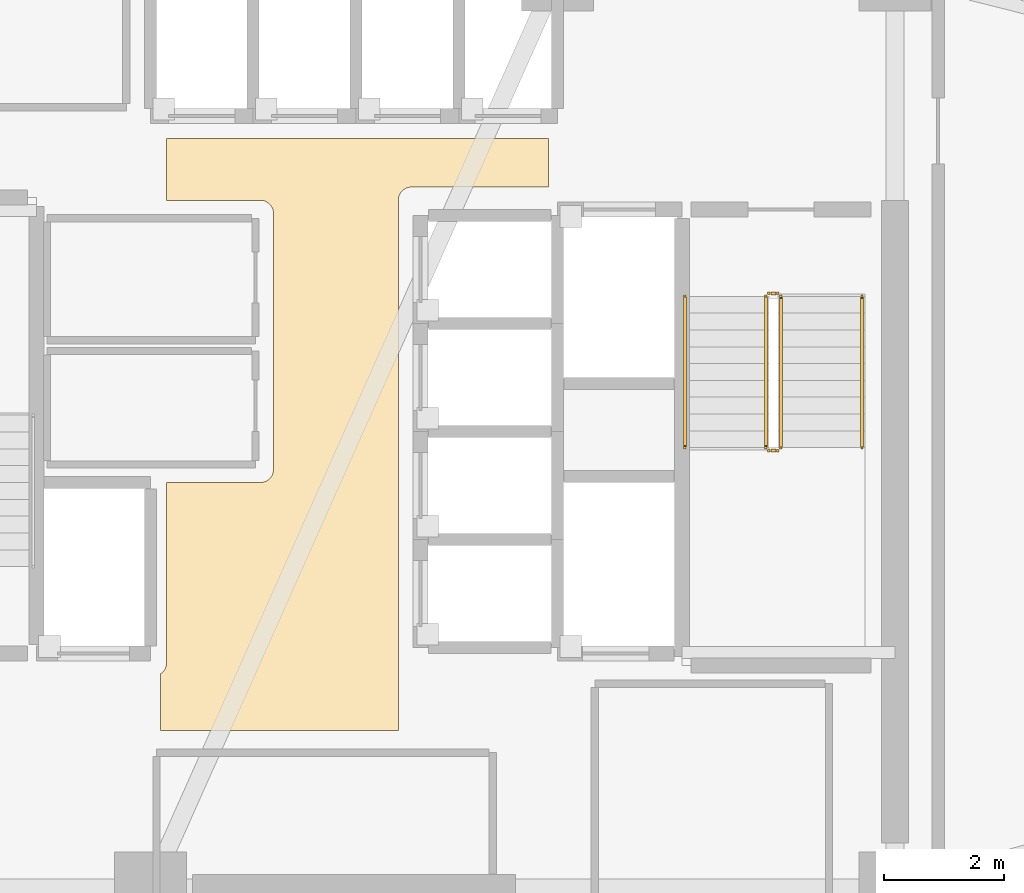
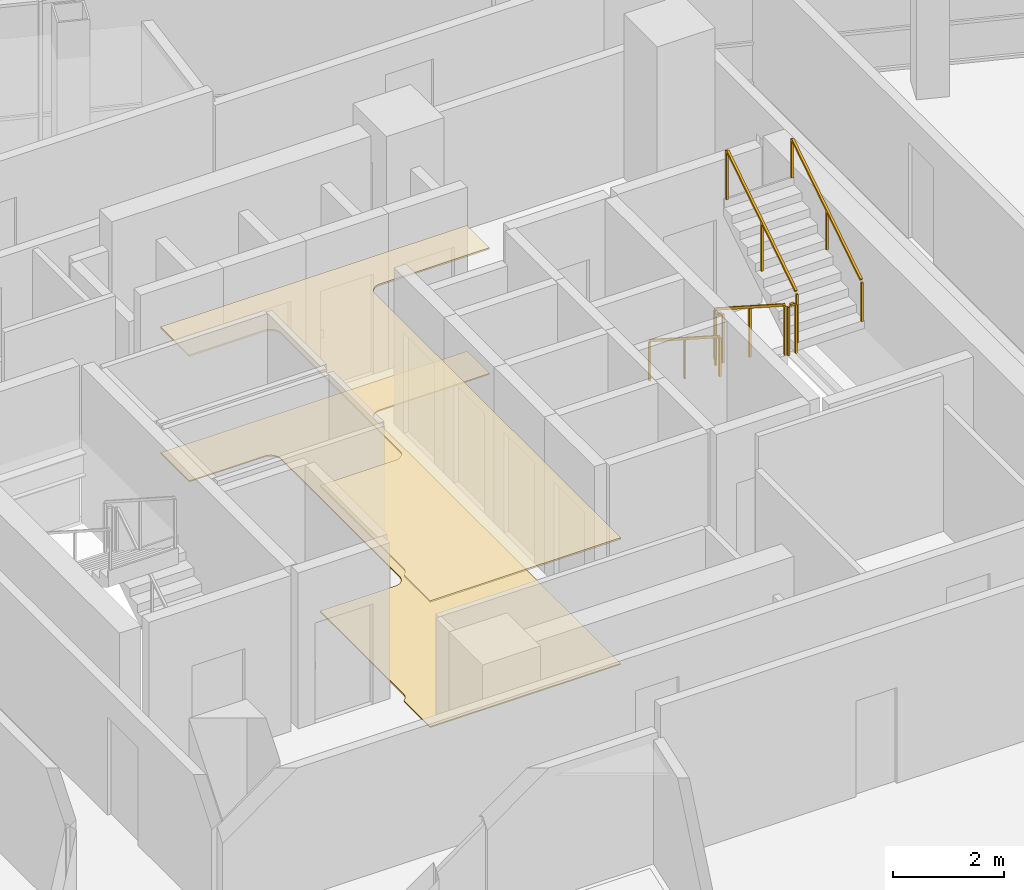
# One storey, part 15 of 16: 6 railings, 2 coverings.
"""IFC4 building model written with IfcOpenShell, lengths in metres."""

from ifc_helpers import new_model, si_unit, direction, frame, origin, origin_2d, place, context, subcontext, project, spatial, polyline, rectangle, outline, extrude, material, layer, layer_set, type_object, element, save


model = new_model("IFC4")

# Units and contexts
model_context = context("Model", 3, precision=1e-05, world=origin(), true_north=direction((0.0, 1.0)))
body_context = subcontext(model_context, "Body", "Model", "MODEL_VIEW")
ifc_project = project(units=[si_unit("LENGTHUNIT", "METRE"), si_unit("AREAUNIT", "SQUARE_METRE"), si_unit("VOLUMEUNIT", "CUBIC_METRE"), si_unit("PLANEANGLEUNIT", "RADIAN"), si_unit("MASSUNIT", "GRAM", prefix="KILO")], contexts=[model_context])

# Site, building, storey
site_placement = place(None, origin())
site = spatial("IfcSite", under=ifc_project, at=site_placement, CompositionType="ELEMENT")
building_placement = place(site_placement, origin())
building = spatial("IfcBuilding", under=site, at=building_placement, Name="Tharavind Bronze Gate", CompositionType="ELEMENT")
storey_placement = place(building_placement, frame((0.0, 0.0, 170.5)))
storey = spatial("IfcBuildingStorey", under=building, at=storey_placement, Name="L43", CompositionType="ELEMENT", Elevation=170.5)

# Coverings
ifc_material_1 = material(Name="Perforated Bronze Acoustic Panel", Category="bronze")
ifc_layer_1 = layer(ifc_material_1, 0.044921875)
ifc_layer_set_1 = layer_set([ifc_layer_1], Name="Perforated Bronze Acoustic Panel")
covering_type_1 = type_object("IfcCoveringType", Name="ACOUSTIC BRONZE BAFFLE CEILING", PredefinedType="CEILING", material=ifc_layer_set_1)
covering_1_placement = place(storey_placement, frame((0.0, 0.0, 2.75)))
element("IfcCovering", 1, at=covering_1_placement, inside=storey, type_object=covering_type_1, Name="L43-C-LL suspended ceiling", PredefinedType="CEILING", context=body_context, shape_type="SweptSolid", body=[
    extrude(outline(polyline([(-3.330078125, -4.97998046875), (0.6298828125, -4.97998046875), (0.6298828125, 3.85009765625), (0.631103515625, 3.87158203125), (0.63427734375, 3.892822265625), (0.639404296875, 3.913818359375), (0.646728515625, 3.93408203125), (0.656005859375, 3.95361328125), (0.6669921875, 3.97216796875), (0.679931640625, 3.989501953125), (0.6943359375, 4.005615234375), (0.71044921875, 4.02001953125), (0.727783203125, 4.032958984375), (0.746337890625, 4.0439453125), (0.765869140625, 4.05322265625), (0.7861328125, 4.060546875), (0.80712890625, 4.06591796875), (0.828369140625, 4.06884765625), (0.85009765625, 4.070068359375), (3.1298828125, 4.070068359375), (3.1298828125, 4.8798828125), (-3.22998046875, 4.8798828125), (-3.22998046875, 3.85009765625), (-1.669921875, 3.85009765625), (-1.6484375, 3.848876953125), (-1.627197265625, 3.845703125), (-1.606201171875, 3.840576171875), (-1.585693359375, 3.833251953125), (-1.56640625, 3.823974609375), (-1.5478515625, 3.81298828125), (-1.530517578125, 3.800048828125), (-1.514404296875, 3.78564453125), (-1.5, 3.76953125), (-1.487060546875, 3.752197265625), (-1.47607421875, 3.733642578125), (-1.466796875, 3.714111328125), (-1.45947265625, 3.69384765625), (-1.4541015625, 3.6728515625), (-1.451171875, 3.651611328125), (-1.449951171875, 3.6298828125), (-1.449951171875, 1.43994140625), (-1.450439453125, 1.429931640625), (-1.449951171875, 1.419921875), (-1.449951171875, -0.6298828125), (-1.451171875, -0.651611328125), (-1.4541015625, -0.6728515625), (-1.45947265625, -0.69384765625), (-1.466796875, -0.714111328125), (-1.47607421875, -0.733642578125), (-1.487060546875, -0.752197265625), (-1.5, -0.76953125), (-1.514404296875, -0.78564453125), (-1.530517578125, -0.800048828125), (-1.5478515625, -0.81298828125), (-1.56640625, -0.823974609375), (-1.585693359375, -0.833251953125), (-1.606201171875, -0.840576171875), (-1.627197265625, -0.845703125), (-1.6484375, -0.848876953125), (-1.669921875, -0.85009765625), (-3.22998046875, -0.85009765625), (-3.22998046875, -3.85009765625), (-3.231201171875, -3.87158203125), (-3.234130859375, -3.892822265625), (-3.239501953125, -3.913818359375), (-3.24658203125, -3.93408203125), (-3.256103515625, -3.95361328125), (-3.26708984375, -3.97216796875), (-3.27978515625, -3.989501953125), (-3.29443359375, -4.005615234375), (-3.310302734375, -4.02001953125), (-3.327880859375, -4.032958984375), (-3.330078125, -4.0341796875), (-3.330078125, -4.97998046875)])), origin(), (0.0, 0.0, 1.0), 0.034912109375),
])
ifc_material_2 = material(Name="Honed Travertine Limestone", Category="masonry")
ifc_layer_2 = layer(ifc_material_2, 0.030029296875)
ifc_layer_set_2 = layer_set([ifc_layer_2], Name="Honed Travertine Limestone")
covering_type_2 = type_object("IfcCoveringType", Name="HONED LIMESTONE FLOORING", PredefinedType="FLOORING", material=ifc_layer_set_2)
covering_2_placement = place(storey_placement, origin())
element("IfcCovering", 2, at=covering_2_placement, inside=storey, type_object=covering_type_2, Name="L43-C-LL floor finish", PredefinedType="FLOORING", context=body_context, shape_type="SweptSolid", body=[
    extrude(outline(polyline([(-3.330078125, -4.97998046875), (0.6298828125, -4.97998046875), (0.6298828125, 3.85009765625), (0.631103515625, 3.87158203125), (0.63427734375, 3.892822265625), (0.639404296875, 3.913818359375), (0.646728515625, 3.93408203125), (0.656005859375, 3.95361328125), (0.6669921875, 3.97216796875), (0.679931640625, 3.989501953125), (0.6943359375, 4.005615234375), (0.71044921875, 4.02001953125), (0.727783203125, 4.032958984375), (0.746337890625, 4.0439453125), (0.765869140625, 4.05322265625), (0.7861328125, 4.060546875), (0.80712890625, 4.06591796875), (0.828369140625, 4.06884765625), (0.85009765625, 4.070068359375), (3.1298828125, 4.070068359375), (3.1298828125, 4.8798828125), (-3.22998046875, 4.8798828125), (-3.22998046875, 3.85009765625), (-1.669921875, 3.85009765625), (-1.6484375, 3.848876953125), (-1.627197265625, 3.845703125), (-1.606201171875, 3.840576171875), (-1.585693359375, 3.833251953125), (-1.56640625, 3.823974609375), (-1.5478515625, 3.81298828125), (-1.530517578125, 3.800048828125), (-1.514404296875, 3.78564453125), (-1.5, 3.76953125), (-1.487060546875, 3.752197265625), (-1.47607421875, 3.733642578125), (-1.466796875, 3.714111328125), (-1.45947265625, 3.69384765625), (-1.4541015625, 3.6728515625), (-1.451171875, 3.651611328125), (-1.449951171875, 3.6298828125), (-1.449951171875, 1.43994140625), (-1.450439453125, 1.429931640625), (-1.449951171875, 1.419921875), (-1.449951171875, -0.6298828125), (-1.451171875, -0.651611328125), (-1.4541015625, -0.6728515625), (-1.45947265625, -0.69384765625), (-1.466796875, -0.714111328125), (-1.47607421875, -0.733642578125), (-1.487060546875, -0.752197265625), (-1.5, -0.76953125), (-1.514404296875, -0.78564453125), (-1.530517578125, -0.800048828125), (-1.5478515625, -0.81298828125), (-1.56640625, -0.823974609375), (-1.585693359375, -0.833251953125), (-1.606201171875, -0.840576171875), (-1.627197265625, -0.845703125), (-1.6484375, -0.848876953125), (-1.669921875, -0.85009765625), (-3.22998046875, -0.85009765625), (-3.22998046875, -3.85009765625), (-3.231201171875, -3.87158203125), (-3.234130859375, -3.892822265625), (-3.239501953125, -3.913818359375), (-3.24658203125, -3.93408203125), (-3.256103515625, -3.95361328125), (-3.26708984375, -3.97216796875), (-3.27978515625, -3.989501953125), (-3.29443359375, -4.005615234375), (-3.310302734375, -4.02001953125), (-3.327880859375, -4.032958984375), (-3.330078125, -4.0341796875), (-3.330078125, -4.97998046875)])), origin(), (0.0, 0.0, 1.0), 0.02490234375),
])

# Railings
ifc_material_3 = material(Name="Brushed Bronze Alloy", Category="metal")
railing_type_1 = type_object("IfcRailingType", Name="STAIR BRONZE HANDRAIL 900", PredefinedType="HANDRAIL", material=ifc_material_3)
railing_1_placement = place(storey_placement, frame((5.39990234375, 2.25, 0.179931640625)))
element("IfcRailing", 3, at=railing_1_placement, inside=storey, type_object=railing_type_1, Name="L43 ST2 stair handrail 1", PredefinedType="HANDRAIL", context=body_context, shape_type="SweptSolid", body=[
    extrude(rectangle(XDim=0.048095703125, YDim=0.048095703125, at=origin_2d()), frame((0.0, -0.02685546875, 0.89306640625), z_axis=(0.0, -0.841162588446, 0.540782303519), x_axis=(1.0, 0.0, 0.0)), (0.0, 0.0, 1.0), 2.931884765625),
    extrude(rectangle(XDim=0.0400390625, YDim=0.0400390625, at=origin_2d()), origin(), (0.0, 0.0, 1.0), 0.847900390625),
    extrude(rectangle(XDim=0.0400390625, YDim=0.0400390625, at=origin_2d()), frame((0.0, -1.260009765625, 0.81005859375)), (0.0, 0.0, 1.0), 0.847900390625),
    extrude(rectangle(XDim=0.0400390625, YDim=0.0400390625, at=origin_2d()), frame((0.0, -2.52001953125, 1.6201171875)), (0.0, 0.0, 1.0), 0.847900390625),
])
railing_2_placement = place(storey_placement, frame((8.35009765625, -0.27001953125, 1.97998046875)))
element("IfcRailing", 4, at=railing_2_placement, inside=storey, type_object=railing_type_1, Name="L43 ST2 stair handrail 2", PredefinedType="HANDRAIL", context=body_context, shape_type="SweptSolid", body=[
    extrude(rectangle(XDim=0.048095703125, YDim=0.048095703125, at=origin_2d()), frame((0.0, 0.02685546875, 0.89306640625), z_axis=(0.0, 0.841162588446, 0.540782303519), x_axis=(-1.0, 0.0, 0.0)), (0.0, 0.0, 1.0), 2.931884765625),
    extrude(rectangle(XDim=0.0400390625, YDim=0.0400390625, at=origin_2d()), origin(), (0.0, 0.0, 1.0), 0.847900390625),
    extrude(rectangle(XDim=0.0400390625, YDim=0.0400390625, at=origin_2d()), frame((0.0, 1.260009765625, 0.81005859375)), (0.0, 0.0, 1.0), 0.847900390625),
    extrude(rectangle(XDim=0.0400390625, YDim=0.0400390625, at=origin_2d()), frame((0.0, 2.52001953125, 1.6201171875)), (0.0, 0.0, 1.0), 0.847900390625),
])
railing_type_2 = type_object("IfcRailingType", Name="STAIR WELL GUARD RAILING 1120", PredefinedType="GUARDRAIL", material=ifc_material_3)
railing_3_placement = place(storey_placement, frame((6.75, 2.25, 0.179931640625)))
element("IfcRailing", 5, at=railing_3_placement, inside=storey, type_object=railing_type_2, Name="L43 ST2 stair guard 1", PredefinedType="GUARDRAIL", context=body_context, shape_type="SweptSolid", body=[
    extrude(rectangle(XDim=0.048095703125, YDim=0.048095703125, at=origin_2d()), frame((0.0, -0.02685546875, 1.11328125), z_axis=(0.0, -0.841162588446, 0.540782303519), x_axis=(1.0, 0.0, 0.0)), (0.0, 0.0, 1.0), 2.931884765625),
    extrude(rectangle(XDim=0.0400390625, YDim=0.0400390625, at=origin_2d()), origin(), (0.0, 0.0, 1.0), 1.068115234375),
    extrude(rectangle(XDim=0.0400390625, YDim=0.0400390625, at=origin_2d()), frame((0.0, -1.260009765625, 0.81005859375)), (0.0, 0.0, 1.0), 1.068115234375),
    extrude(rectangle(XDim=0.0400390625, YDim=0.0400390625, at=origin_2d()), frame((0.0, -2.52001953125, 1.6201171875)), (0.0, 0.0, 1.0), 1.068115234375),
])
railing_4_placement = place(storey_placement, frame((6.800048828125, -0.320068359375, 1.800048828125)))
element("IfcRailing", 6, at=railing_4_placement, inside=storey, type_object=railing_type_2, Name="L43 ST2 stair guard 2", PredefinedType="GUARDRAIL", context=body_context, shape_type="SweptSolid", body=[
    extrude(rectangle(XDim=0.048095703125, YDim=0.048095703125, at=origin_2d()), frame((0.031982421875, 0.0, 1.09619140625), z_axis=(1.0, 0.0, 0.0), x_axis=(0.0, 1.0, 0.0)), (0.0, 0.0, 1.0), 0.0859375),
    extrude(rectangle(XDim=0.0400390625, YDim=0.0400390625, at=origin_2d()), origin(), (0.0, 0.0, 1.0), 1.068115234375),
    extrude(rectangle(XDim=0.0400390625, YDim=0.0400390625, at=origin_2d()), frame((0.14990234375, 0.0, 0.0)), (0.0, 0.0, 1.0), 1.068115234375),
])
railing_5_placement = place(storey_placement, frame((7.0, -0.27001953125, 1.97998046875)))
element("IfcRailing", 7, at=railing_5_placement, inside=storey, type_object=railing_type_2, Name="L43 ST2 stair guard 3", PredefinedType="GUARDRAIL", context=body_context, shape_type="SweptSolid", body=[
    extrude(rectangle(XDim=0.048095703125, YDim=0.048095703125, at=origin_2d()), frame((0.0, 0.02685546875, 1.11328125), z_axis=(0.0, 0.841162588446, 0.540782303519), x_axis=(-1.0, 0.0, 0.0)), (0.0, 0.0, 1.0), 2.931884765625),
    extrude(rectangle(XDim=0.0400390625, YDim=0.0400390625, at=origin_2d()), origin(), (0.0, 0.0, 1.0), 1.068115234375),
    extrude(rectangle(XDim=0.0400390625, YDim=0.0400390625, at=origin_2d()), frame((0.0, 1.260009765625, 0.81005859375)), (0.0, 0.0, 1.0), 1.068115234375),
    extrude(rectangle(XDim=0.0400390625, YDim=0.0400390625, at=origin_2d()), frame((0.0, 2.52001953125, 1.6201171875)), (0.0, 0.0, 1.0), 1.068115234375),
])
railing_6_placement = place(storey_placement, frame((6.800048828125, 2.300048828125, 0.0)))
element("IfcRailing", 8, at=railing_6_placement, inside=storey, type_object=railing_type_2, Name="L43 ST2 stair guard 4", PredefinedType="GUARDRAIL", context=body_context, shape_type="SweptSolid", body=[
    extrude(rectangle(XDim=0.048095703125, YDim=0.048095703125, at=origin_2d()), frame((0.031982421875, 0.0, 1.09619140625), z_axis=(1.0, 0.0, 0.0), x_axis=(0.0, 1.0, 0.0)), (0.0, 0.0, 1.0), 0.0859375),
    extrude(rectangle(XDim=0.0400390625, YDim=0.0400390625, at=origin_2d()), origin(), (0.0, 0.0, 1.0), 1.068115234375),
    extrude(rectangle(XDim=0.0400390625, YDim=0.0400390625, at=origin_2d()), frame((0.14990234375, 0.0, 0.0)), (0.0, 0.0, 1.0), 1.068115234375),
])

save(model, "model.ifc")
